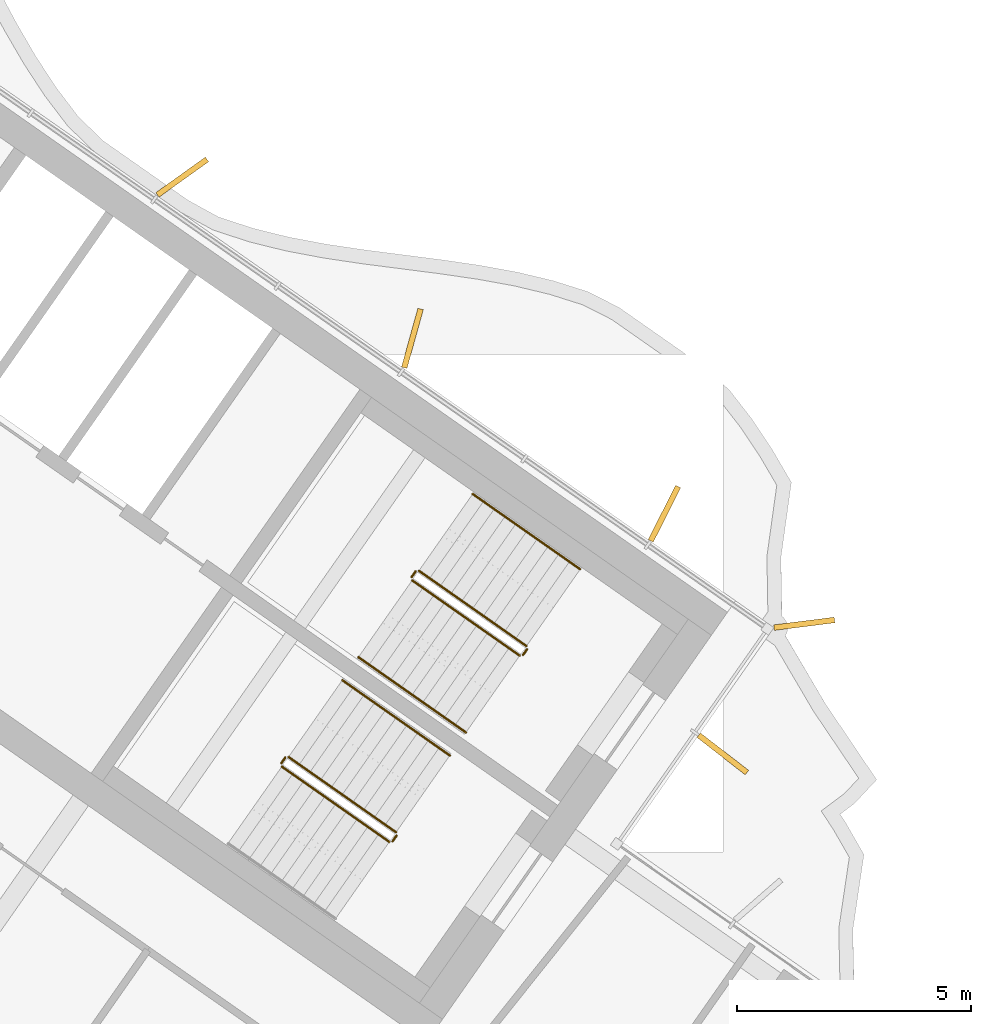
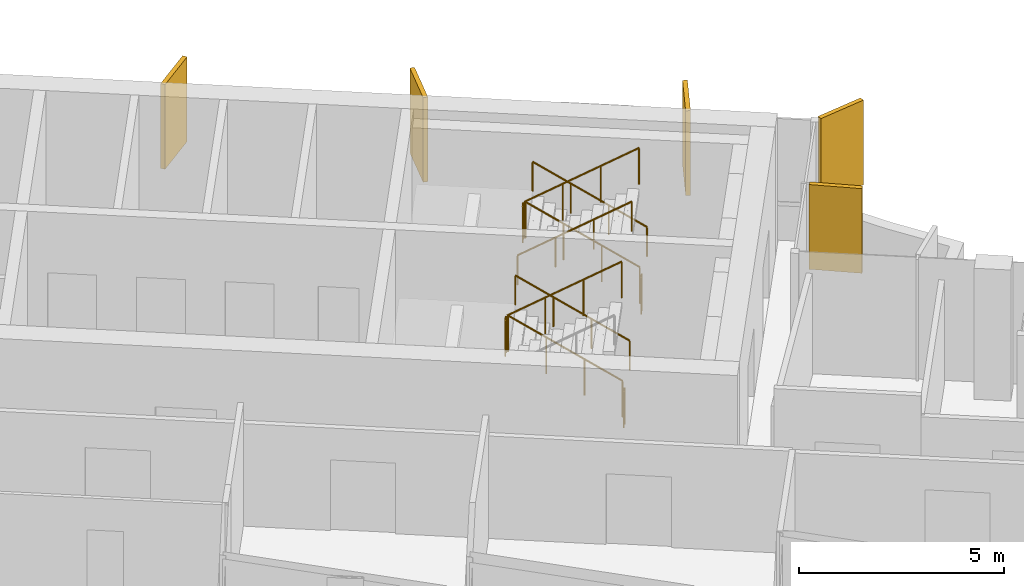
# One storey, part 17 of 18: 11 railings, 5 shading devices.
"""IFC4 building model written with IfcOpenShell, lengths in metres."""

from ifc_helpers import new_model, si_unit, direction, frame, origin, origin_2d, place, context, subcontext, project, spatial, rectangle, circle, extrude, material, layer, layer_set, type_object, element, save


model = new_model("IFC4")

# Units and contexts
model_context = context("Model", 3, precision=1e-05, world=origin(), true_north=direction((0.0, 1.0)))
body_context = subcontext(model_context, "Body", "Model", "MODEL_VIEW")
ifc_project = project(units=[si_unit("LENGTHUNIT", "METRE"), si_unit("AREAUNIT", "SQUARE_METRE"), si_unit("VOLUMEUNIT", "CUBIC_METRE"), si_unit("PLANEANGLEUNIT", "RADIAN"), si_unit("MASSUNIT", "GRAM", prefix="KILO")], contexts=[model_context])

# Site, building, storey
site_placement = place(None, origin())
site = spatial("IfcSite", under=ifc_project, at=site_placement, CompositionType="ELEMENT")
building_placement = place(site_placement, origin())
building = spatial("IfcBuilding", under=site, at=building_placement, Name="Tel Ilan Convention Tower", CompositionType="ELEMENT")
storey_placement = place(building_placement, frame((0.0, 0.0, 252.699951171875)))
storey = spatial("IfcBuildingStorey", under=building, at=storey_placement, Name="L59", CompositionType="ELEMENT", Elevation=252.699951171875)

# Shading devices
ifc_material_1 = material(Name="Aluminium, bronze anodised", Category="aluminium")
ifc_layer = layer(ifc_material_1, 0.1201171875)
ifc_layer_set = layer_set([ifc_layer], Name="FIN BRONZE 1300x120")
shading_device_type = type_object("IfcShadingDeviceType", Name="FIN BRONZE 1300x120", PredefinedType="USERDEFINED", material=ifc_layer_set)
for number, where, z_axis, x_axis, name in (
    (1, (27.868408203125, -10.15234375, 1.10009765625), (0.0, 0.0, 1.0), (0.790392669516, -0.612600545196, 0.0), "FIN"),
    (2, (29.60595703125, -7.376953125, 1.10009765625), (0.0, 0.0, 1.0), (0.992066016082, 0.125718016748, 0.0), "FIN"),
    (3, (26.62255859375, -5.028076171875, 1.10009765625), (0.0, 0.0, 1.0), (0.448799180206, 0.893632640321, 0.0), "FIN"),
    (4, (21.246337890625, -1.286865234375, 1.10009765625), (0.0, 0.0, 1.0), (0.268172612768, 0.963370878614, 0.0), "FIN"),
    (5, (16.335693359375, 2.15185546875, 1.10009765625), (0.0, 0.0, 1.0), (0.813552070258, 0.581492071294, 0.0), "FIN"),
):
    element("IfcShadingDevice", number, at=place(storey_placement, frame(where, z_axis=z_axis, x_axis=x_axis)), inside=storey, type_object=shading_device_type, Name=name, ObjectType="FIN", PredefinedType="USERDEFINED", context=body_context, shape_type="SweptSolid", body=[
        extrude(rectangle(XDim=1.300048828125, YDim=0.1201171875, at=origin_2d()), origin(), (0.0, 0.0, 1.0), 2.52001953125),
    ])

# Railings
ifc_material_2 = material(Name="Stainless Steel Grade 316", Category="steel")
railing_type_1 = type_object("IfcRailingType", Name="Stainless Steel Stair Guard 1100 mm", PredefinedType="GUARDRAIL", material=ifc_material_2)
railing_1_placement = place(storey_placement, frame((23.6787109375, -7.8515625, 0.17724609375)))
element("IfcRailing", 6, at=railing_1_placement, inside=storey, type_object=railing_type_1, Name="L59 S3 stair guard 1", PredefinedType="GUARDRAIL", context=body_context, shape_type="SweptSolid", body=[
    extrude(circle(Radius=0.02392578125, at=origin_2d()), frame((0.0, 0.0, 1.076171875), z_axis=(-0.692084706163, 0.484621375041, 0.534940073605), x_axis=(-0.573591086599, -0.819141785879, 0.0)), (0.0, 0.0, 1.0), 3.313720703125),
    extrude(circle(Radius=0.02099609375, at=origin_2d()), origin(), (0.0, 0.0, 1.0), 1.052001953125),
    extrude(circle(Radius=0.02099609375, at=origin_2d()), frame((-0.764404296875, 0.535400390625, 0.5908203125)), (0.0, 0.0, 1.0), 1.052001953125),
    extrude(circle(Radius=0.02099609375, at=origin_2d()), frame((-1.529052734375, 1.070556640625, 1.181884765625)), (0.0, 0.0, 1.0), 1.052001953125),
    extrude(circle(Radius=0.02099609375, at=origin_2d()), frame((-2.29345703125, 1.60595703125, 1.772705078125)), (0.0, 0.0, 1.0), 1.052001953125),
])
railing_2_placement = place(storey_placement, frame((21.3154296875, -6.2578125, 1.949951171875)))
element("IfcRailing", 7, at=railing_2_placement, inside=storey, type_object=railing_type_1, Name="L59 S3 stair guard 2", PredefinedType="GUARDRAIL", context=body_context, shape_type="SweptSolid", body=[
    extrude(circle(Radius=0.02392578125, at=origin_2d()), frame((0.0, 0.0, 1.076171875), z_axis=(-0.573353020881, -0.819308436089, 0.0), x_axis=(0.819308436089, -0.573353020881, 0.0)), (0.0, 0.0, 1.0), 0.14990234375),
    extrude(circle(Radius=0.02099609375, at=origin_2d()), origin(), (0.0, 0.0, 1.0), 1.052001953125),
    extrude(circle(Radius=0.02099609375, at=origin_2d()), frame((-0.0859375, -0.122802734375, 0.0)), (0.0, 0.0, 1.0), 1.052001953125),
])
railing_3_placement = place(storey_placement, frame((21.24169921875, -6.4501953125, 2.12744140625)))
element("IfcRailing", 8, at=railing_3_placement, inside=storey, type_object=railing_type_1, Name="L59 S3 stair guard 3", PredefinedType="GUARDRAIL", context=body_context, shape_type="SweptSolid", body=[
    extrude(circle(Radius=0.02392578125, at=origin_2d()), frame((0.0, 0.0, 1.076171875), z_axis=(0.692098378994, -0.484653031975, 0.534893701956), x_axis=(0.573608623498, 0.819129505664, 0.0)), (0.0, 0.0, 1.0), 3.314208984375),
    extrude(circle(Radius=0.02099609375, at=origin_2d()), origin(), (0.0, 0.0, 1.0), 1.052001953125),
    extrude(circle(Radius=0.02099609375, at=origin_2d()), frame((0.7646484375, -0.535400390625, 0.5908203125)), (0.0, 0.0, 1.0), 1.052001953125),
    extrude(circle(Radius=0.02099609375, at=origin_2d()), frame((1.529052734375, -1.07080078125, 1.181884765625)), (0.0, 0.0, 1.0), 1.052001953125),
    extrude(circle(Radius=0.02099609375, at=origin_2d()), frame((2.293701171875, -1.606201171875, 1.772705078125)), (0.0, 0.0, 1.0), 1.052001953125),
])
railing_4_placement = place(storey_placement, frame((23.691162109375, -7.921142578125, 0.0)))
element("IfcRailing", 9, at=railing_4_placement, inside=storey, type_object=railing_type_1, Name="L59 S3 stair guard 4", PredefinedType="GUARDRAIL", context=body_context, shape_type="SweptSolid", body=[
    extrude(circle(Radius=0.02392578125, at=origin_2d()), frame((0.0, 0.0, 1.076171875), z_axis=(-0.574444878118, -0.818543268254, 0.0), x_axis=(0.818543268254, -0.574444878118, 0.0)), (0.0, 0.0, 1.0), 0.150146484375),
    extrude(circle(Radius=0.02099609375, at=origin_2d()), origin(), (0.0, 0.0, 1.0), 1.052001953125),
    extrude(circle(Radius=0.02099609375, at=origin_2d()), frame((-0.086181640625, -0.122802734375, 0.0)), (0.0, 0.0, 1.0), 1.052001953125),
])
railing_5_placement = place(storey_placement, frame((20.89697265625, -11.824462890625, 0.17724609375)))
element("IfcRailing", 10, at=railing_5_placement, inside=storey, type_object=railing_type_1, Name="L59 S4 stair guard 1", PredefinedType="GUARDRAIL", context=body_context, shape_type="SweptSolid", body=[
    extrude(circle(Radius=0.02392578125, at=origin_2d()), frame((0.0, 0.0, 1.076171875), z_axis=(-0.692123088272, 0.484596665743, 0.534912798717), x_axis=(-0.573550118428, -0.819170471667, 0.0)), (0.0, 0.0, 1.0), 3.31396484375),
    extrude(circle(Radius=0.02099609375, at=origin_2d()), origin(), (0.0, 0.0, 1.0), 1.052001953125),
    extrude(circle(Radius=0.02099609375, at=origin_2d()), frame((-0.7646484375, 0.535400390625, 0.5908203125)), (0.0, 0.0, 1.0), 1.052001953125),
    extrude(circle(Radius=0.02099609375, at=origin_2d()), frame((-1.529052734375, 1.070556640625, 1.181884765625)), (0.0, 0.0, 1.0), 1.052001953125),
    extrude(circle(Radius=0.02099609375, at=origin_2d()), frame((-2.293701171875, 1.60595703125, 1.772705078125)), (0.0, 0.0, 1.0), 1.052001953125),
])
railing_6_placement = place(storey_placement, frame((18.53369140625, -10.230712890625, 1.949951171875)))
element("IfcRailing", 11, at=railing_6_placement, inside=storey, type_object=railing_type_1, Name="L59 S4 stair guard 2", PredefinedType="GUARDRAIL", context=body_context, shape_type="SweptSolid", body=[
    extrude(circle(Radius=0.02392578125, at=origin_2d()), frame((0.0, 0.0, 1.076171875), z_axis=(-0.573353020881, -0.819308436089, 0.0), x_axis=(0.819308436089, -0.573353020881, 0.0)), (0.0, 0.0, 1.0), 0.14990234375),
    extrude(circle(Radius=0.02099609375, at=origin_2d()), origin(), (0.0, 0.0, 1.0), 1.052001953125),
    extrude(circle(Radius=0.02099609375, at=origin_2d()), frame((-0.0859375, -0.122802734375, 0.0)), (0.0, 0.0, 1.0), 1.052001953125),
])
railing_7_placement = place(storey_placement, frame((18.4599609375, -10.423095703125, 2.12744140625)))
element("IfcRailing", 12, at=railing_7_placement, inside=storey, type_object=railing_type_1, Name="L59 S4 stair guard 3", PredefinedType="GUARDRAIL", context=body_context, shape_type="SweptSolid", body=[
    extrude(circle(Radius=0.02392578125, at=origin_2d()), frame((0.0, 0.0, 1.076171875), z_axis=(0.692098378994, -0.484653031975, 0.534893701956), x_axis=(0.573608623498, 0.819129505664, 0.0)), (0.0, 0.0, 1.0), 3.314208984375),
    extrude(circle(Radius=0.02099609375, at=origin_2d()), origin(), (0.0, 0.0, 1.0), 1.052001953125),
    extrude(circle(Radius=0.02099609375, at=origin_2d()), frame((0.7646484375, -0.535400390625, 0.5908203125)), (0.0, 0.0, 1.0), 1.052001953125),
    extrude(circle(Radius=0.02099609375, at=origin_2d()), frame((1.529052734375, -1.07080078125, 1.181884765625)), (0.0, 0.0, 1.0), 1.052001953125),
    extrude(circle(Radius=0.02099609375, at=origin_2d()), frame((2.293701171875, -1.606201171875, 1.772705078125)), (0.0, 0.0, 1.0), 1.052001953125),
])
railing_8_placement = place(storey_placement, frame((20.9091796875, -11.89404296875, 0.0)))
element("IfcRailing", 13, at=railing_8_placement, inside=storey, type_object=railing_type_1, Name="L59 S4 stair guard 4", PredefinedType="GUARDRAIL", context=body_context, shape_type="SweptSolid", body=[
    extrude(circle(Radius=0.02392578125, at=origin_2d()), frame((0.0, 0.0, 1.076171875), z_axis=(-0.573353020881, -0.819308436089, 0.0), x_axis=(0.819308436089, -0.573353020881, 0.0)), (0.0, 0.0, 1.0), 0.14990234375),
    extrude(circle(Radius=0.02099609375, at=origin_2d()), origin(), (0.0, 0.0, 1.0), 1.052001953125),
    extrude(circle(Radius=0.02099609375, at=origin_2d()), frame((-0.0859375, -0.122802734375, 0.0)), (0.0, 0.0, 1.0), 1.052001953125),
])
ifc_material_3 = material(Name="Stainless Steel Grade 316", Category="steel")
railing_type_2 = type_object("IfcRailingType", Name="Stainless Steel Stair Handrail 900 mm", PredefinedType="HANDRAIL", material=ifc_material_3)
railing_9_placement = place(storey_placement, frame((24.825927734375, -6.213134765625, 0.17724609375)))
element("IfcRailing", 14, at=railing_9_placement, inside=storey, type_object=railing_type_2, Name="L59 S3 stair handrail 1", PredefinedType="HANDRAIL", context=body_context, shape_type="SweptSolid", body=[
    extrude(circle(Radius=0.02392578125, at=origin_2d()), frame((0.0, 0.0, 0.8759765625), z_axis=(-0.692123088272, 0.484596665743, 0.534912798717), x_axis=(-0.573550118428, -0.819170471667, 0.0)), (0.0, 0.0, 1.0), 3.31396484375),
    extrude(circle(Radius=0.02099609375, at=origin_2d()), origin(), (0.0, 0.0, 1.0), 0.851806640625),
    extrude(circle(Radius=0.02099609375, at=origin_2d()), frame((-0.7646484375, 0.535400390625, 0.5908203125)), (0.0, 0.0, 1.0), 0.851806640625),
    extrude(circle(Radius=0.02099609375, at=origin_2d()), frame((-1.529052734375, 1.070556640625, 1.181884765625)), (0.0, 0.0, 1.0), 0.851806640625),
    extrude(circle(Radius=0.02099609375, at=origin_2d()), frame((-2.293701171875, 1.60595703125, 1.772705078125)), (0.0, 0.0, 1.0), 0.851806640625),
])
railing_10_placement = place(storey_placement, frame((20.0947265625, -8.088623046875, 2.12744140625)))
element("IfcRailing", 15, at=railing_10_placement, inside=storey, type_object=railing_type_2, Name="L59 S3 stair handrail 2", PredefinedType="HANDRAIL", context=body_context, shape_type="SweptSolid", body=[
    extrude(circle(Radius=0.02392578125, at=origin_2d()), frame((0.0, 0.0, 0.8759765625), z_axis=(0.692084706163, -0.484621375041, 0.534940073605), x_axis=(0.573591086599, 0.819141785879, 0.0)), (0.0, 0.0, 1.0), 3.313720703125),
    extrude(circle(Radius=0.02099609375, at=origin_2d()), origin(), (0.0, 0.0, 1.0), 0.851806640625),
    extrude(circle(Radius=0.02099609375, at=origin_2d()), frame((0.764404296875, -0.535400390625, 0.5908203125)), (0.0, 0.0, 1.0), 0.851806640625),
    extrude(circle(Radius=0.02099609375, at=origin_2d()), frame((1.529052734375, -1.070556640625, 1.181884765625)), (0.0, 0.0, 1.0), 0.851806640625),
    extrude(circle(Radius=0.02099609375, at=origin_2d()), frame((2.29345703125, -1.60595703125, 1.772705078125)), (0.0, 0.0, 1.0), 0.851806640625),
])
railing_11_placement = place(storey_placement, frame((22.044189453125, -10.18603515625, 0.17724609375)))
element("IfcRailing", 16, at=railing_11_placement, inside=storey, type_object=railing_type_2, Name="L59 S4 stair handrail 1", PredefinedType="HANDRAIL", context=body_context, shape_type="SweptSolid", body=[
    extrude(circle(Radius=0.02392578125, at=origin_2d()), frame((0.0, 0.0, 0.8759765625), z_axis=(-0.692123088272, 0.484596665743, 0.534912798717), x_axis=(-0.573550118428, -0.819170471667, 0.0)), (0.0, 0.0, 1.0), 3.31396484375),
    extrude(circle(Radius=0.02099609375, at=origin_2d()), origin(), (0.0, 0.0, 1.0), 0.851806640625),
    extrude(circle(Radius=0.02099609375, at=origin_2d()), frame((-0.7646484375, 0.535400390625, 0.5908203125)), (0.0, 0.0, 1.0), 0.851806640625),
    extrude(circle(Radius=0.02099609375, at=origin_2d()), frame((-1.529052734375, 1.070556640625, 1.181884765625)), (0.0, 0.0, 1.0), 0.851806640625),
    extrude(circle(Radius=0.02099609375, at=origin_2d()), frame((-2.293701171875, 1.60595703125, 1.772705078125)), (0.0, 0.0, 1.0), 0.851806640625),
])

save(model, "model.ifc")
